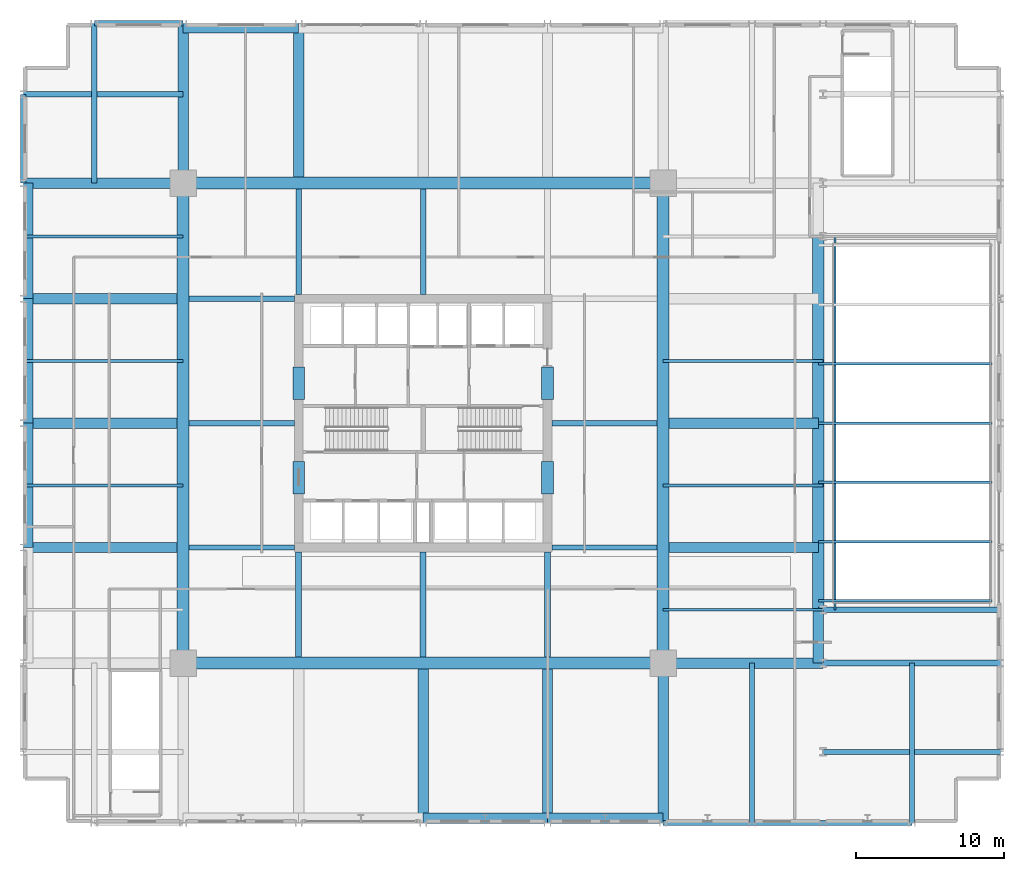
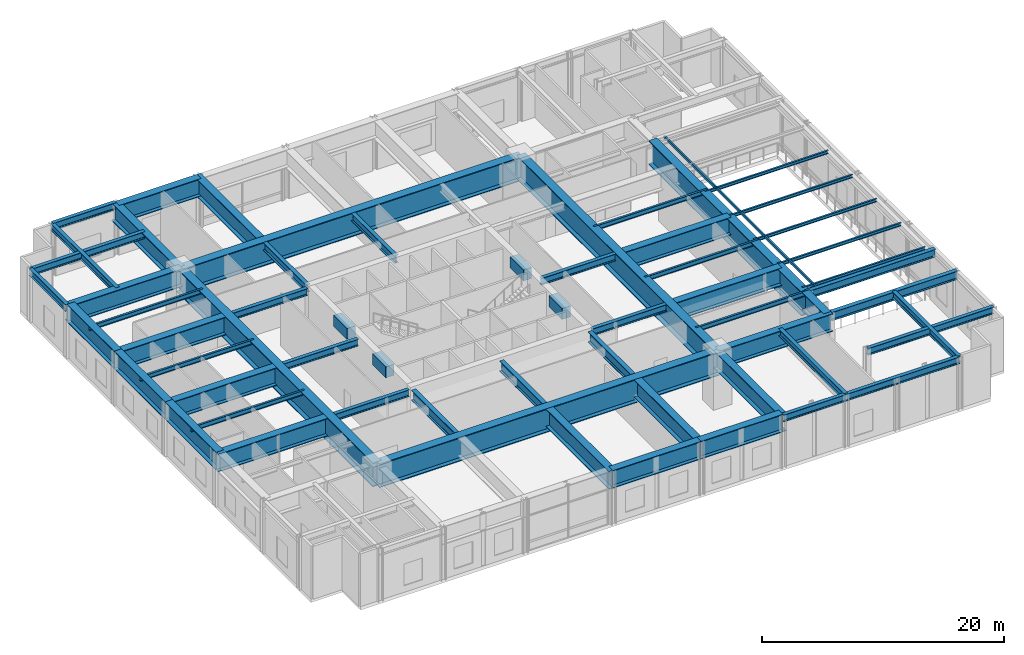
# One storey, part 4 of 19: 54 beams, 6 members.
"""IFC4 building model written with IfcOpenShell, lengths in metres."""

from ifc_helpers import new_model, si_unit, direction, frame, origin, origin_2d, place, context, subcontext, project, spatial, rectangle, hollow_rectangle, i_section, extrude, material, material_profile, profile_set, type_object, element, save


model = new_model("IFC4")

# Units and contexts
model_context = context("Model", 3, precision=1e-05, world=origin(), true_north=direction((0.0, 1.0)))
body_context = subcontext(model_context, "Body", "Model", "MODEL_VIEW")
ifc_project = project(units=[si_unit("LENGTHUNIT", "METRE"), si_unit("AREAUNIT", "SQUARE_METRE"), si_unit("VOLUMEUNIT", "CUBIC_METRE"), si_unit("PLANEANGLEUNIT", "RADIAN"), si_unit("MASSUNIT", "GRAM", prefix="KILO")], contexts=[model_context])

# Site, building, storey
site_placement = place(None, origin())
site = spatial("IfcSite", under=ifc_project, at=site_placement, CompositionType="ELEMENT")
building_placement = place(site_placement, origin())
building = spatial("IfcBuilding", under=site, at=building_placement, Name="Drelvath Grand Hotel", CompositionType="ELEMENT")
storey_placement = place(building_placement, frame((0.0, 0.0, 27.60009765625)))
storey = spatial("IfcBuildingStorey", under=building, at=storey_placement, Name="L05", CompositionType="ELEMENT", Elevation=27.60009765625)

# Beams
ifc_material_1 = material(Name="Steel ASTM A572 Gr 50", Category="steel")
ifc_material_profile_1 = material_profile(ifc_material_1, i_section(OverallWidth=0.699951171875, OverallDepth=1.800048828125, WebThickness=0.035888671875, FlangeThickness=0.06494140625, at=origin_2d()), Name="PG1800X700")
ifc_profile_set_1 = profile_set([ifc_material_profile_1], Name="Steel ASTM A572 Gr 50")
beam_type_1 = type_object("IfcBeamType", Name="Built-Up Transfer Girder PG1800X700", PredefinedType="BEAM", material=ifc_profile_set_1)
beam_1_placement = place(storey_placement, frame((26.679931640625, 10.800048828125, 4.419921875), z_axis=(0.0, 1.0, 0.0), x_axis=(-1.0, 0.0, 0.0)))
element("IfcBeam", 1, at=beam_1_placement, inside=storey, type_object=beam_type_1, Name="L05 Transfer Girder TG-01S", PredefinedType="BEAM", context=body_context, shape_type="SweptSolid", body=[
    extrude(i_section(OverallWidth=0.699951171875, OverallDepth=1.800048828125, WebThickness=0.035888671875, FlangeThickness=0.06494140625, at=origin_2d()), origin(), (0.0, 0.0, 1.0), 3.599853515625),
])
beam_2_placement = place(storey_placement, frame((-16.199951171875, 53.679931640625, 4.419921875), z_axis=(1.0, 0.0, 0.0), x_axis=(0.0, 1.0, 0.0)))
element("IfcBeam", 2, at=beam_2_placement, inside=storey, type_object=beam_type_1, Name="L05 Transfer Girder North 1", PredefinedType="BEAM", context=body_context, shape_type="SweptSolid", body=[
    extrude(i_section(OverallWidth=0.699951171875, OverallDepth=1.800048828125, WebThickness=0.035888671875, FlangeThickness=0.06494140625, at=origin_2d()), origin(), (0.0, 0.0, 1.0), 7.800048828125),
])
beam_3_placement = place(storey_placement, frame((0.0, 0.320068359375, 4.419921875), z_axis=(1.0, 0.0, 0.0), x_axis=(0.0, 1.0, 0.0)))
element("IfcBeam", 3, at=beam_3_placement, inside=storey, type_object=beam_type_1, Name="L05 Transfer Girder South 3", PredefinedType="BEAM", context=body_context, shape_type="SweptSolid", body=[
    extrude(i_section(OverallWidth=0.699951171875, OverallDepth=1.800048828125, WebThickness=0.035888671875, FlangeThickness=0.06494140625, at=origin_2d()), origin(), (0.0, 0.0, 1.0), 8.39990234375),
])
beam_4_placement = place(storey_placement, frame((8.39990234375, 0.320068359375, 4.419921875), z_axis=(1.0, 0.0, 0.0), x_axis=(0.0, 1.0, 0.0)))
element("IfcBeam", 4, at=beam_4_placement, inside=storey, type_object=beam_type_1, Name="L05 Transfer Girder South 4", PredefinedType="BEAM", context=body_context, shape_type="SweptSolid", body=[
    extrude(i_section(OverallWidth=0.699951171875, OverallDepth=1.800048828125, WebThickness=0.035888671875, FlangeThickness=0.06494140625, at=origin_2d()), origin(), (0.0, 0.0, 1.0), 7.800048828125),
])
for number, where, z_axis, x_axis, name in (
    (5, (-26.679931640625, 18.60009765625, 4.419921875), (0.0, 1.0, 0.0), (-1.0, 0.0, 0.0), "L05 Transfer Girder West 2"),
    (6, (-26.679931640625, 27.0, 4.419921875), (0.0, 1.0, 0.0), (-1.0, 0.0, 0.0), "L05 Transfer Girder West 3"),
):
    element("IfcBeam", number, at=place(storey_placement, frame(where, z_axis=z_axis, x_axis=x_axis)), inside=storey, type_object=beam_type_1, Name=name, PredefinedType="BEAM", context=body_context, shape_type="SweptSolid", body=[
        extrude(i_section(OverallWidth=0.699951171875, OverallDepth=1.800048828125, WebThickness=0.035888671875, FlangeThickness=0.06494140625, at=origin_2d()), origin(), (0.0, 0.0, 1.0), 8.39990234375),
    ])
beam_5_placement = place(storey_placement, frame((-26.679931640625, 35.39990234375, 4.419921875), z_axis=(0.0, 1.0, 0.0), x_axis=(-1.0, 0.0, 0.0)))
element("IfcBeam", 7, at=beam_5_placement, inside=storey, type_object=beam_type_1, Name="L05 Transfer Girder West 4", PredefinedType="BEAM", context=body_context, shape_type="SweptSolid", body=[
    extrude(i_section(OverallWidth=0.699951171875, OverallDepth=1.800048828125, WebThickness=0.035888671875, FlangeThickness=0.06494140625, at=origin_2d()), origin(), (0.0, 0.0, 1.0), 7.800048828125),
])
beam_6_placement = place(storey_placement, frame((16.199951171875, 10.800048828125, 4.419921875), z_axis=(1.0, 0.0, 0.0), x_axis=(0.0, 1.0, 0.0)))
element("IfcBeam", 8, at=beam_6_placement, inside=storey, type_object=beam_type_1, Name="L05 Transfer Tie Girder EC", PredefinedType="BEAM", context=body_context, shape_type="SweptSolid", body=[
    extrude(i_section(OverallWidth=0.699951171875, OverallDepth=1.800048828125, WebThickness=0.035888671875, FlangeThickness=0.06494140625, at=origin_2d()), origin(), (0.0, 0.0, 1.0), 10.800048828125),
])
beam_7_placement = place(storey_placement, frame((-27.0, 18.60009765625, 4.419921875), z_axis=(1.0, 0.0, 0.0), x_axis=(0.0, 1.0, 0.0)))
element("IfcBeam", 9, at=beam_7_placement, inside=storey, type_object=beam_type_1, Name="L05 Transfer Tie Girder WD", PredefinedType="BEAM", context=body_context, shape_type="SweptSolid", body=[
    extrude(i_section(OverallWidth=0.699951171875, OverallDepth=1.800048828125, WebThickness=0.035888671875, FlangeThickness=0.06494140625, at=origin_2d()), origin(), (0.0, 0.0, 1.0), 10.39990234375),
])
beam_8_placement = place(storey_placement, frame((16.60009765625, 18.60009765625, 4.419921875), z_axis=(1.0, 0.0, 0.0), x_axis=(0.0, 1.0, 0.0)))
element("IfcBeam", 10, at=beam_8_placement, inside=storey, type_object=beam_type_1, Name="L05 Transfer Tie Girder ED", PredefinedType="BEAM", context=body_context, shape_type="SweptSolid", body=[
    extrude(i_section(OverallWidth=0.699951171875, OverallDepth=1.800048828125, WebThickness=0.035888671875, FlangeThickness=0.06494140625, at=origin_2d()), origin(), (0.0, 0.0, 1.0), 10.079833984375),
])
beam_9_placement = place(storey_placement, frame((-27.0, 27.0, 4.419921875), z_axis=(1.0, 0.0, 0.0), x_axis=(0.0, 1.0, 0.0)))
element("IfcBeam", 11, at=beam_9_placement, inside=storey, type_object=beam_type_1, Name="L05 Transfer Tie Girder WE", PredefinedType="BEAM", context=body_context, shape_type="SweptSolid", body=[
    extrude(i_section(OverallWidth=0.699951171875, OverallDepth=1.800048828125, WebThickness=0.035888671875, FlangeThickness=0.06494140625, at=origin_2d()), origin(), (0.0, 0.0, 1.0), 10.39990234375),
])
beam_10_placement = place(storey_placement, frame((16.60009765625, 27.0, 4.419921875), z_axis=(1.0, 0.0, 0.0), x_axis=(0.0, 1.0, 0.0)))
element("IfcBeam", 12, at=beam_10_placement, inside=storey, type_object=beam_type_1, Name="L05 Transfer Tie Girder EE", PredefinedType="BEAM", context=body_context, shape_type="SweptSolid", body=[
    extrude(i_section(OverallWidth=0.699951171875, OverallDepth=1.800048828125, WebThickness=0.035888671875, FlangeThickness=0.06494140625, at=origin_2d()), origin(), (0.0, 0.0, 1.0), 10.079833984375),
])
beam_11_placement = place(storey_placement, frame((-27.0, 35.39990234375, 4.419921875), z_axis=(1.0, 0.0, 0.0), x_axis=(0.0, 1.0, 0.0)))
element("IfcBeam", 13, at=beam_11_placement, inside=storey, type_object=beam_type_1, Name="L05 Transfer Tie Girder WF", PredefinedType="BEAM", context=body_context, shape_type="SweptSolid", body=[
    extrude(i_section(OverallWidth=0.699951171875, OverallDepth=1.800048828125, WebThickness=0.035888671875, FlangeThickness=0.06494140625, at=origin_2d()), origin(), (0.0, 0.0, 1.0), 10.39990234375),
])
for number, where, z_axis, x_axis, name in (
    (14, (-27.0, 43.199951171875, 4.419921875), (1.0, 0.0, 0.0), (0.0, 1.0, 0.0), "L05 Transfer Tie Girder WG"),
    (15, (-16.199951171875, 43.199951171875, 4.419921875), (0.0, 1.0, 0.0), (-1.0, 0.0, 0.0), "L05 Transfer Tie Girder N3"),
):
    element("IfcBeam", number, at=place(storey_placement, frame(where, z_axis=z_axis, x_axis=x_axis)), inside=storey, type_object=beam_type_1, Name=name, PredefinedType="BEAM", context=body_context, shape_type="SweptSolid", body=[
        extrude(i_section(OverallWidth=0.699951171875, OverallDepth=1.800048828125, WebThickness=0.035888671875, FlangeThickness=0.06494140625, at=origin_2d()), origin(), (0.0, 0.0, 1.0), 10.800048828125),
    ])
for number, where, z_axis, x_axis, name in (
    (16, (-8.39990234375, 43.60009765625, 4.419921875), (0.0, 1.0, 0.0), (-1.0, 0.0, 0.0), "L05 Transfer Tie Girder N4"),
    (17, (0.0, 0.0, 4.419921875), (0.0, 1.0, 0.0), (-1.0, 0.0, 0.0), "L05 Transfer Tie Girder S5"),
    (18, (8.39990234375, 0.0, 4.419921875), (0.0, 1.0, 0.0), (-1.0, 0.0, 0.0), "L05 Transfer Tie Girder S6"),
):
    element("IfcBeam", number, at=place(storey_placement, frame(where, z_axis=z_axis, x_axis=x_axis)), inside=storey, type_object=beam_type_1, Name=name, PredefinedType="BEAM", context=body_context, shape_type="SweptSolid", body=[
        extrude(i_section(OverallWidth=0.699951171875, OverallDepth=1.800048828125, WebThickness=0.035888671875, FlangeThickness=0.06494140625, at=origin_2d()), origin(), (0.0, 0.0, 1.0), 10.39990234375),
    ])
beam_12_placement = place(storey_placement, frame((16.199951171875, 0.0, 4.419921875), z_axis=(0.0, 1.0, 0.0), x_axis=(-1.0, 0.0, 0.0)))
element("IfcBeam", 19, at=beam_12_placement, inside=storey, type_object=beam_type_1, Name="L05 Transfer Tie Girder S7", PredefinedType="BEAM", context=body_context, shape_type="SweptSolid", body=[
    extrude(i_section(OverallWidth=0.699951171875, OverallDepth=1.800048828125, WebThickness=0.035888671875, FlangeThickness=0.06494140625, at=origin_2d()), origin(), (0.0, 0.0, 1.0), 10.800048828125),
])
ifc_material_profile_2 = material_profile(ifc_material_1, i_section(OverallWidth=0.800048828125, OverallDepth=2.39990234375, WebThickness=0.0400390625, FlangeThickness=0.074951171875, at=origin_2d()), Name="PG2400X800")
ifc_profile_set_2 = profile_set([ifc_material_profile_2], Name="Steel ASTM A572 Gr 50")
beam_type_2 = type_object("IfcBeamType", Name="Built-Up Transfer Girder PG2400X800", PredefinedType="BEAM", material=ifc_profile_set_2)
for number, where, z_axis, x_axis, name in (
    (20, (-16.199951171875, 10.800048828125, 4.119873046875), (1.0, 0.0, 0.0), (0.0, 1.0, 0.0), "L05 Mega Frame Girder South"),
    (21, (-16.199951171875, 43.199951171875, 4.119873046875), (1.0, 0.0, 0.0), (0.0, 1.0, 0.0), "L05 Mega Frame Girder North"),
    (22, (-16.199951171875, 10.800048828125, 4.119873046875), (0.0, 1.0, 0.0), (-1.0, 0.0, 0.0), "L05 Mega Frame Girder West"),
    (23, (16.199951171875, 10.800048828125, 4.119873046875), (0.0, 1.0, 0.0), (-1.0, 0.0, 0.0), "L05 Mega Frame Girder East"),
):
    element("IfcBeam", number, at=place(storey_placement, frame(where, z_axis=z_axis, x_axis=x_axis)), inside=storey, type_object=beam_type_2, Name=name, PredefinedType="BEAM", context=body_context, shape_type="SweptSolid", body=[
        extrude(i_section(OverallWidth=0.800048828125, OverallDepth=2.39990234375, WebThickness=0.0400390625, FlangeThickness=0.074951171875, at=origin_2d()), origin(), (0.0, 0.0, 1.0), 32.39990234375),
    ])
beam_13_placement = place(storey_placement, frame((26.679931640625, 14.39990234375, 4.119873046875), z_axis=(0.0, 1.0, 0.0), x_axis=(-1.0, 0.0, 0.0)))
element("IfcBeam", 24, at=beam_13_placement, inside=storey, type_object=beam_type_2, Name="L05 Transfer Girder TG-01 Over Atrium", PredefinedType="BEAM", context=body_context, shape_type="SweptSolid", body=[
    extrude(i_section(OverallWidth=0.800048828125, OverallDepth=2.39990234375, WebThickness=0.0400390625, FlangeThickness=0.074951171875, at=origin_2d()), origin(), (0.0, 0.0, 1.0), 25.2001953125),
])
ifc_material_2 = material(Name="Steel ASTM A992 Gr 50", Category="steel")
ifc_material_profile_3 = material_profile(ifc_material_2, i_section(OverallWidth=0.19140625, OverallDepth=0.4599609375, WebThickness=0.010009765625, FlangeThickness=0.01611328125, FilletRadius=0.01611328125, at=origin_2d()), Name="W18X55")
ifc_profile_set_3 = profile_set([ifc_material_profile_3], Name="Steel ASTM A992 Gr 50")
beam_type_3 = type_object("IfcBeamType", Name="Composite Floor Joist W18X55", PredefinedType="JOIST", material=ifc_profile_set_3)
for number, where, z_axis, x_axis, name in (
    (25, (-27.0, 22.800048828125, 5.08984375), (1.0, 0.0, 0.0), (0.0, 1.0, 0.0), "L05 West Composite Joist J1"),
    (26, (16.199951171875, 22.800048828125, 5.08984375), (1.0, 0.0, 0.0), (0.0, 1.0, 0.0), "L05 East Composite Joist J1"),
    (27, (-27.0, 31.199951171875, 5.08984375), (1.0, 0.0, 0.0), (0.0, 1.0, 0.0), "L05 West Composite Joist J2"),
    (28, (16.199951171875, 31.199951171875, 5.08984375), (1.0, 0.0, 0.0), (0.0, 1.0, 0.0), "L05 East Composite Joist J2"),
    (29, (16.199951171875, 14.39990234375, 5.08984375), (1.0, 0.0, 0.0), (0.0, 1.0, 0.0), "L05 East Composite Joist J3"),
    (30, (-27.0, 39.60009765625, 5.08984375), (1.0, 0.0, 0.0), (0.0, 1.0, 0.0), "L05 West Composite Joist J4"),
):
    element("IfcBeam", number, at=place(storey_placement, frame(where, z_axis=z_axis, x_axis=x_axis)), inside=storey, type_object=beam_type_3, Name=name, PredefinedType="JOIST", context=body_context, shape_type="SweptSolid", body=[
        extrude(i_section(OverallWidth=0.19140625, OverallDepth=0.4599609375, WebThickness=0.010009765625, FlangeThickness=0.01611328125, FilletRadius=0.01611328125, at=origin_2d()), origin(), (0.0, 0.0, 1.0), 10.800048828125),
    ])
ifc_material_3 = material(Name="Concrete f'c 70 MPa", Category="concrete")
ifc_material_profile_4 = material_profile(ifc_material_3, rectangle(XDim=0.800048828125, YDim=1.10009765625, at=origin_2d()), Name="CB800X1100")
ifc_profile_set_4 = profile_set([ifc_material_profile_4], Name="Concrete f'c 70 MPa")
beam_type_4 = type_object("IfcBeamType", Name="Core Coupling Lintel CB800X1100", PredefinedType="LINTEL", material=ifc_profile_set_4)
for number, where, z_axis, x_axis, name in (
    (31, (-8.39990234375, 22.199951171875, 4.789794921875), (0.0, 1.0, 0.0), (-1.0, 0.0, 0.0), "L05 Core Coupling Lintel WS"),
    (32, (-8.39990234375, 28.60009765625, 4.789794921875), (0.0, 1.0, 0.0), (-1.0, 0.0, 0.0), "L05 Core Coupling Lintel WN"),
    (33, (8.39990234375, 22.199951171875, 4.789794921875), (0.0, 1.0, 0.0), (-1.0, 0.0, 0.0), "L05 Core Coupling Lintel ES"),
    (34, (8.39990234375, 28.60009765625, 4.789794921875), (0.0, 1.0, 0.0), (-1.0, 0.0, 0.0), "L05 Core Coupling Lintel EN"),
):
    element("IfcBeam", number, at=place(storey_placement, frame(where, z_axis=z_axis, x_axis=x_axis)), inside=storey, type_object=beam_type_4, Name=name, PredefinedType="LINTEL", context=body_context, shape_type="SweptSolid", body=[
        extrude(rectangle(XDim=0.800048828125, YDim=1.10009765625, at=origin_2d()), origin(), (0.0, 0.0, 1.0), 2.199951171875),
    ])
ifc_material_profile_5 = material_profile(ifc_material_2, i_section(OverallWidth=0.354736328125, OverallDepth=0.695556640625, WebThickness=0.015380859375, FlangeThickness=0.025146484375, FilletRadius=0.02392578125, at=origin_2d()), Name="W27X146")
ifc_profile_set_5 = profile_set([ifc_material_profile_5], Name="Steel ASTM A992 Gr 50")
beam_type_5 = type_object("IfcBeamType", Name="Perimeter Spandrel Beam W27X146", PredefinedType="SPANDREL", material=ifc_profile_set_5)
beam_14_placement = place(storey_placement, frame((-27.0, 43.199951171875, 4.97216796875), z_axis=(0.0, 1.0, 0.0), x_axis=(-1.0, 0.0, 0.0)))
element("IfcBeam", 35, at=beam_14_placement, inside=storey, type_object=beam_type_5, Name="L05 Podium Perimeter Spandrel SPW1B", PredefinedType="SPANDREL", context=body_context, shape_type="SweptSolid", body=[
    extrude(i_section(OverallWidth=0.354736328125, OverallDepth=0.695556640625, WebThickness=0.015380859375, FlangeThickness=0.025146484375, FilletRadius=0.02392578125, at=origin_2d()), origin(), (0.0, 0.0, 1.0), 6.0),
])
beam_15_placement = place(storey_placement, frame((16.199951171875, 0.0, 4.97216796875), z_axis=(1.0, 0.0, 0.0), x_axis=(0.0, 1.0, 0.0)))
element("IfcBeam", 36, at=beam_15_placement, inside=storey, type_object=beam_type_5, Name="L05 Podium Perimeter Spandrel SPS1B", PredefinedType="SPANDREL", context=body_context, shape_type="SweptSolid", body=[
    extrude(i_section(OverallWidth=0.354736328125, OverallDepth=0.695556640625, WebThickness=0.015380859375, FlangeThickness=0.025146484375, FilletRadius=0.02392578125, at=origin_2d()), origin(), (0.0, 0.0, 1.0), 16.800048828125),
])
beam_16_placement = place(storey_placement, frame((-22.199951171875, 54.0, 4.97216796875), z_axis=(1.0, 0.0, 0.0), x_axis=(0.0, 1.0, 0.0)))
element("IfcBeam", 37, at=beam_16_placement, inside=storey, type_object=beam_type_5, Name="L05 Podium Perimeter Spandrel SPN1A", PredefinedType="SPANDREL", context=body_context, shape_type="SweptSolid", body=[
    extrude(i_section(OverallWidth=0.354736328125, OverallDepth=0.695556640625, WebThickness=0.015380859375, FlangeThickness=0.025146484375, FilletRadius=0.02392578125, at=origin_2d()), origin(), (0.0, 0.0, 1.0), 6.0),
])
ifc_material_profile_6 = material_profile(ifc_material_2, i_section(OverallWidth=0.354736328125, OverallDepth=0.695556640625, WebThickness=0.015380859375, FlangeThickness=0.025146484375, FilletRadius=0.02392578125, at=origin_2d()), Name="W27X146")
ifc_profile_set_6 = profile_set([ifc_material_profile_6], Name="Steel ASTM A992 Gr 50")
beam_type_6 = type_object("IfcBeamType", Name="Primary Floor Girder W27X146", PredefinedType="BEAM", material=ifc_profile_set_6)
for number, where, z_axis, x_axis, name in (
    (38, (-15.800048828125, 18.60009765625, 4.97216796875), (1.0, 0.0, 0.0), (0.0, 1.0, 0.0), "L05 West Core Girder D"),
    (39, (8.699951171875, 18.60009765625, 4.97216796875), (1.0, 0.0, 0.0), (0.0, 1.0, 0.0), "L05 East Core Girder D"),
    (40, (-15.800048828125, 27.0, 4.97216796875), (1.0, 0.0, 0.0), (0.0, 1.0, 0.0), "L05 West Core Girder E"),
    (41, (8.699951171875, 27.0, 4.97216796875), (1.0, 0.0, 0.0), (0.0, 1.0, 0.0), "L05 East Core Girder E"),
    (42, (-15.800048828125, 35.39990234375, 4.97216796875), (1.0, 0.0, 0.0), (0.0, 1.0, 0.0), "L05 West Core Girder F"),
):
    element("IfcBeam", number, at=place(storey_placement, frame(where, z_axis=z_axis, x_axis=x_axis)), inside=storey, type_object=beam_type_6, Name=name, PredefinedType="BEAM", context=body_context, shape_type="SweptSolid", body=[
        extrude(i_section(OverallWidth=0.354736328125, OverallDepth=0.695556640625, WebThickness=0.015380859375, FlangeThickness=0.025146484375, FilletRadius=0.02392578125, at=origin_2d()), origin(), (0.0, 0.0, 1.0), 7.10009765625),
    ])
beam_17_placement = place(storey_placement, frame((27.0, 4.800048828125, 4.97216796875), z_axis=(1.0, 0.0, 0.0), x_axis=(0.0, 1.0, 0.0)))
element("IfcBeam", 43, at=beam_17_placement, inside=storey, type_object=beam_type_6, Name="L05 East Corner Tie B", PredefinedType="BEAM", context=body_context, shape_type="SweptSolid", body=[
    extrude(i_section(OverallWidth=0.354736328125, OverallDepth=0.695556640625, WebThickness=0.015380859375, FlangeThickness=0.025146484375, FilletRadius=0.02392578125, at=origin_2d()), origin(), (0.0, 0.0, 1.0), 12.0),
])
for number, where, z_axis, x_axis, name in (
    (44, (-27.0, 49.199951171875, 4.97216796875), (1.0, 0.0, 0.0), (0.0, 1.0, 0.0), "L05 West Corner Tie H"),
    (45, (-22.199951171875, 43.199951171875, 4.97216796875), (0.0, 1.0, 0.0), (-1.0, 0.0, 0.0), "L05 North Corner Tie 2"),
    (46, (22.199951171875, 0.0, 4.97216796875), (0.0, 1.0, 0.0), (-1.0, 0.0, 0.0), "L05 South Corner Tie 8"),
    (47, (33.0, 0.0, 4.97216796875), (0.0, 1.0, 0.0), (-1.0, 0.0, 0.0), "L05 South Corner Tie 10"),
):
    element("IfcBeam", number, at=place(storey_placement, frame(where, z_axis=z_axis, x_axis=x_axis)), inside=storey, type_object=beam_type_6, Name=name, PredefinedType="BEAM", context=body_context, shape_type="SweptSolid", body=[
        extrude(i_section(OverallWidth=0.354736328125, OverallDepth=0.695556640625, WebThickness=0.015380859375, FlangeThickness=0.025146484375, FilletRadius=0.02392578125, at=origin_2d()), origin(), (0.0, 0.0, 1.0), 10.800048828125),
    ])
ifc_material_profile_7 = material_profile(ifc_material_2, i_section(OverallWidth=0.380615234375, OverallDepth=0.773193359375, WebThickness=0.0166015625, FlangeThickness=0.027099609375, FilletRadius=0.02490234375, at=origin_2d()), Name="W30X173")
ifc_profile_set_7 = profile_set([ifc_material_profile_7], Name="Steel ASTM A992 Gr 50")
beam_type_7 = type_object("IfcBeamType", Name="Primary Floor Girder W30X173", PredefinedType="BEAM", material=ifc_profile_set_7)
for number, where, z_axis, x_axis, name in (
    (48, (-8.39990234375, 35.699951171875, 4.933349609375), (0.0, 1.0, 0.0), (-1.0, 0.0, 0.0), "L05 North Core Span Girder 4"),
    (49, (0.0, 35.699951171875, 4.933349609375), (0.0, 1.0, 0.0), (-1.0, 0.0, 0.0), "L05 North Core Span Girder 5"),
):
    element("IfcBeam", number, at=place(storey_placement, frame(where, z_axis=z_axis, x_axis=x_axis)), inside=storey, type_object=beam_type_7, Name=name, PredefinedType="BEAM", context=body_context, shape_type="SweptSolid", body=[
        extrude(i_section(OverallWidth=0.380615234375, OverallDepth=0.773193359375, WebThickness=0.0166015625, FlangeThickness=0.027099609375, FilletRadius=0.02490234375, at=origin_2d()), origin(), (0.0, 0.0, 1.0), 7.10009765625),
    ])
beam_18_placement = place(storey_placement, frame((26.679931640625, 14.39990234375, 4.933349609375), z_axis=(1.0, 0.0, 0.0), x_axis=(0.0, 1.0, 0.0)))
element("IfcBeam", 50, at=beam_18_placement, inside=storey, type_object=beam_type_7, Name="L05 Atrium Skylight South Support Girder", PredefinedType="BEAM", context=body_context, shape_type="SweptSolid", body=[
    extrude(i_section(OverallWidth=0.380615234375, OverallDepth=0.773193359375, WebThickness=0.0166015625, FlangeThickness=0.027099609375, FilletRadius=0.02490234375, at=origin_2d()), origin(), (0.0, 0.0, 1.0), 12.320068359375),
])
ifc_material_profile_8 = material_profile(ifc_material_2, i_section(OverallWidth=0.39990234375, OverallDepth=0.85546875, WebThickness=0.018310546875, FlangeThickness=0.029296875, FilletRadius=0.02490234375, at=origin_2d()), Name="W33X201")
ifc_profile_set_8 = profile_set([ifc_material_profile_8], Name="Steel ASTM A992 Gr 50")
beam_type_8 = type_object("IfcBeamType", Name="Primary Floor Girder W33X201", PredefinedType="BEAM", material=ifc_profile_set_8)
beam_19_placement = place(storey_placement, frame((27.0, 10.800048828125, 4.89208984375), z_axis=(1.0, 0.0, 0.0), x_axis=(0.0, 1.0, 0.0)))
element("IfcBeam", 51, at=beam_19_placement, inside=storey, type_object=beam_type_8, Name="L05 East Podium Girder 2 C", PredefinedType="BEAM", context=body_context, shape_type="SweptSolid", body=[
    extrude(i_section(OverallWidth=0.39990234375, OverallDepth=0.85546875, WebThickness=0.018310546875, FlangeThickness=0.029296875, FilletRadius=0.02490234375, at=origin_2d()), origin(), (0.0, 0.0, 1.0), 12.0),
])
ifc_material_profile_9 = material_profile(ifc_material_2, i_section(OverallWidth=0.40966796875, OverallDepth=1.037353515625, WebThickness=0.031005859375, FlangeThickness=0.055908203125, FilletRadius=0.030029296875, at=origin_2d()), Name="W40X397")
ifc_profile_set_9 = profile_set([ifc_material_profile_9], Name="Steel ASTM A992 Gr 50")
beam_type_9 = type_object("IfcBeamType", Name="Primary Floor Girder W40X397", PredefinedType="BEAM", material=ifc_profile_set_9)
for number, where, z_axis, x_axis, name in (
    (52, (-8.39990234375, 11.199951171875, 4.80126953125), (0.0, 1.0, 0.0), (-1.0, 0.0, 0.0), "L05 South Core Span Girder 4"),
    (53, (0.0, 11.199951171875, 4.80126953125), (0.0, 1.0, 0.0), (-1.0, 0.0, 0.0), "L05 South Core Span Girder 5"),
    (54, (8.39990234375, 11.199951171875, 4.80126953125), (0.0, 1.0, 0.0), (-1.0, 0.0, 0.0), "L05 South Core Span Girder 6"),
):
    element("IfcBeam", number, at=place(storey_placement, frame(where, z_axis=z_axis, x_axis=x_axis)), inside=storey, type_object=beam_type_9, Name=name, PredefinedType="BEAM", context=body_context, shape_type="SweptSolid", body=[
        extrude(i_section(OverallWidth=0.40966796875, OverallDepth=1.037353515625, WebThickness=0.031005859375, FlangeThickness=0.055908203125, FilletRadius=0.030029296875, at=origin_2d()), origin(), (0.0, 0.0, 1.0), 7.10009765625),
    ])

# Members
ifc_material_profile_10 = material_profile(ifc_material_2, i_section(OverallWidth=0.164794921875, OverallDepth=0.310302734375, WebThickness=0.005859375, FlangeThickness=0.009765625, FilletRadius=0.012939453125, at=origin_2d()), Name="W12X26")
ifc_profile_set_10 = profile_set([ifc_material_profile_10], Name="Steel ASTM A992 Gr 50")
member_type_1 = type_object("IfcMemberType", Name="Skylight Roof Purlin W12X26", PredefinedType="PURLIN", material=ifc_profile_set_10)
for number, where, z_axis, x_axis, name in (
    (55, (26.679931640625, 15.0, 5.164794921875), (1.0, 0.0, 0.0), (0.0, 1.0, 0.0), "L05 Atrium Skylight Purlin 1"),
    (56, (26.679931640625, 19.0, 5.164794921875), (1.0, 0.0, 0.0), (0.0, 1.0, 0.0), "L05 Atrium Skylight Purlin 2"),
    (57, (26.679931640625, 23.0, 5.164794921875), (1.0, 0.0, 0.0), (0.0, 1.0, 0.0), "L05 Atrium Skylight Purlin 3"),
    (58, (26.679931640625, 27.0, 5.164794921875), (1.0, 0.0, 0.0), (0.0, 1.0, 0.0), "L05 Atrium Skylight Purlin 4"),
    (59, (26.679931640625, 31.0, 5.164794921875), (1.0, 0.0, 0.0), (0.0, 1.0, 0.0), "L05 Atrium Skylight Purlin 5"),
):
    element("IfcMember", number, at=place(storey_placement, frame(where, z_axis=z_axis, x_axis=x_axis)), inside=storey, type_object=member_type_1, Name=name, PredefinedType="PURLIN", context=body_context, shape_type="SweptSolid", body=[
        extrude(i_section(OverallWidth=0.164794921875, OverallDepth=0.310302734375, WebThickness=0.005859375, FlangeThickness=0.009765625, FilletRadius=0.012939453125, at=origin_2d()), origin(), (0.0, 0.0, 1.0), 11.739990234375),
    ])
ifc_material_4 = material(Name="Steel ASTM A500 Gr C", Category="steel")
ifc_material_profile_11 = material_profile(ifc_material_4, hollow_rectangle(XDim=0.15234375, YDim=0.25390625, WallThickness=0.009521484375, at=origin_2d()), Name="HSS254X152X10")
ifc_profile_set_11 = profile_set([ifc_material_profile_11], Name="Steel ASTM A500 Gr C")
member_type_2 = type_object("IfcMemberType", Name="Skylight Subframe Member HSS254X152X10", PredefinedType="CHORD", material=ifc_profile_set_11)
member_placement = place(storey_placement, frame((27.800048828125, 14.39990234375, 5.18994140625), z_axis=(0.0, 1.0, 0.0), x_axis=(-1.0, 0.0, 0.0)))
element("IfcMember", 60, at=member_placement, inside=storey, type_object=member_type_2, Name="L05 Atrium Skylight Edge Chord West", PredefinedType="CHORD", context=body_context, shape_type="SweptSolid", body=[
    extrude(hollow_rectangle(XDim=0.15234375, YDim=0.25390625, WallThickness=0.009521484375, at=origin_2d()), origin(), (0.0, 0.0, 1.0), 25.2001953125),
])

save(model, "model.ifc")
